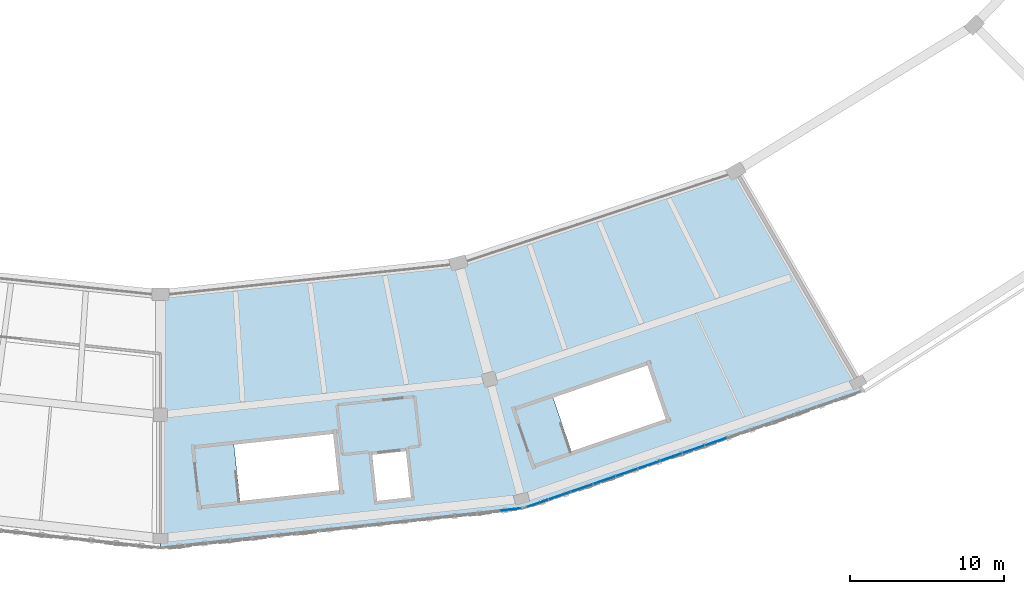
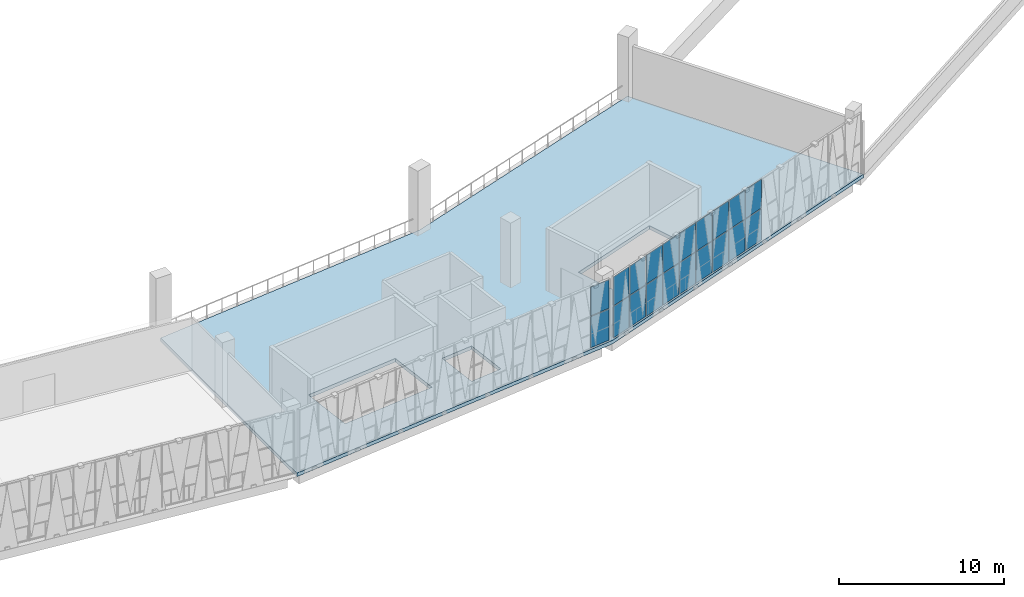
# One storey, part 35 of 64: 20 plates, 1 slab, 2 elements without a shape of their own.
"""IFC4 building model written with IfcOpenShell, lengths in metres."""

from ifc_helpers import new_model, si_unit, direction, frame, origin, origin_2d, place, context, subcontext, project, spatial, polyline, rectangle, outline, extrude, material, layer, layer_set, type_object, element, aggregate, save


model = new_model("IFC4")

# Units and contexts
model_context = context("Model", 3, precision=1e-05, world=origin(), true_north=direction((0.0, 1.0)))
body_context = subcontext(model_context, "Body", "Model", "MODEL_VIEW")
ifc_project = project(units=[si_unit("LENGTHUNIT", "METRE"), si_unit("AREAUNIT", "SQUARE_METRE"), si_unit("VOLUMEUNIT", "CUBIC_METRE"), si_unit("PLANEANGLEUNIT", "RADIAN"), si_unit("MASSUNIT", "GRAM", prefix="KILO")], contexts=[model_context])

# Site, building, storey
site_placement = place(None, origin())
site = spatial("IfcSite", under=ifc_project, at=site_placement, CompositionType="ELEMENT")
building_placement = place(site_placement, origin())
building = spatial("IfcBuilding", under=site, at=building_placement, Name="Zevraka Park Crest Stadium", CompositionType="ELEMENT")
storey_placement = place(building_placement, frame((0.0, 0.0, 24.60009765625)))
storey = spatial("IfcBuildingStorey", under=building, at=storey_placement, Name="L05", CompositionType="ELEMENT", Elevation=24.60009765625)

# Curtain wall, plates
ifc_material_1 = material(Name="Anodised architectural aluminium and laminated safety glass", Category="aluminium")
curtain_wall_type_1 = type_object("IfcCurtainWallType", Name="CW21", PredefinedType="NOTDEFINED", material=ifc_material_1)
curtain_wall_1_placement = place(storey_placement, origin())
curtain_wall_1 = element("IfcCurtainWall", 1, at=curtain_wall_1_placement, inside=storey, type_object=curtain_wall_type_1, Name="Unitised Ring Curtain Wall CW21 L05-18", PredefinedType="NOTDEFINED")
ifc_material_2 = material(Name="Solar-control laminated double glazing", Category="glass")
ifc_layer_1 = layer(ifc_material_2, 0.031982421875)
ifc_layer_set_1 = layer_set([ifc_layer_1], Name="Solar-control laminated double glazing")
plate_type_1 = type_object("IfcPlateType", Name="CP21", PredefinedType="CURTAIN_PANEL", material=ifc_layer_set_1)
plate_1_placement = place(storey_placement, frame((134.66015625, 18.572021484375, 0.06982421875), z_axis=(0.0, 0.0, 1.0), x_axis=(0.994010156572, 0.109287733215, 0.0)))
plate_1 = element("IfcPlate", 2, at=plate_1_placement, type_object=plate_type_1, Name="CW21 panel 16.1", PredefinedType="CURTAIN_PANEL", context=body_context, shape_type="SweptSolid", body=[
    extrude(rectangle(XDim=1.3583984375, YDim=0.031982421875, at=origin_2d()), origin(), (0.0, 0.0, 1.0), 2.294921875),
])
plate_2_placement = place(storey_placement, frame((134.66015625, 18.572021484375, 2.43505859375), z_axis=(0.0, 0.0, 1.0), x_axis=(0.994010156572, 0.109287733215, 0.0)))
plate_2 = element("IfcPlate", 3, at=plate_2_placement, type_object=plate_type_1, Name="CW21 panel 16.2", PredefinedType="CURTAIN_PANEL", context=body_context, shape_type="SweptSolid", body=[
    extrude(rectangle(XDim=1.3583984375, YDim=0.031982421875, at=origin_2d()), origin(), (0.0, 0.0, 1.0), 2.114990234375),
])
aggregate(curtain_wall_1, [plate_1, plate_2])

ifc_material_3 = material(Name="Anodised architectural aluminium and laminated safety glass", Category="aluminium")
curtain_wall_type_2 = type_object("IfcCurtainWallType", Name="CW22", PredefinedType="NOTDEFINED", material=ifc_material_3)
curtain_wall_2_placement = place(storey_placement, origin())
curtain_wall_2 = element("IfcCurtainWall", 4, at=curtain_wall_2_placement, inside=storey, type_object=curtain_wall_type_2, Name="Unitised Ring Curtain Wall CW22 L05-19", PredefinedType="NOTDEFINED")
ifc_material_4 = material(Name="Solar-control laminated double glazing", Category="glass")
ifc_layer_2 = layer(ifc_material_4, 0.031982421875)
ifc_layer_set_2 = layer_set([ifc_layer_2], Name="Solar-control laminated double glazing")
plate_type_2 = type_object("IfcPlateType", Name="CP22", PredefinedType="CURTAIN_PANEL", material=ifc_layer_set_2)
plate_3_placement = place(storey_placement, frame((136.39599609375, 18.9658203125, 0.059814453125), z_axis=(0.0, 0.0, 1.0), x_axis=(0.945048755979, 0.326929424834, 0.0)))
plate_3 = element("IfcPlate", 5, at=plate_3_placement, type_object=plate_type_2, Name="CW22 panel 1.1", PredefinedType="CURTAIN_PANEL", context=body_context, shape_type="SweptSolid", body=[
    extrude(rectangle(XDim=1.439697265625, YDim=0.031982421875, at=origin_2d()), origin(), (0.0, 0.0, 1.0), 2.31005859375),
])
plate_4_placement = place(storey_placement, frame((136.39599609375, 18.9658203125, 2.429931640625), z_axis=(0.0, 0.0, 1.0), x_axis=(0.945048755979, 0.326929424834, 0.0)))
plate_4 = element("IfcPlate", 6, at=plate_4_placement, type_object=plate_type_2, Name="CW22 panel 1.2", PredefinedType="CURTAIN_PANEL", context=body_context, shape_type="SweptSolid", body=[
    extrude(rectangle(XDim=1.439697265625, YDim=0.031982421875, at=origin_2d()), origin(), (0.0, 0.0, 1.0), 2.1298828125),
])
plate_5_placement = place(storey_placement, frame((137.827392578125, 19.461181640625, 0.059814453125), z_axis=(0.0, 0.0, 1.0), x_axis=(0.945048755979, 0.326929424834, 0.0)))
plate_5 = element("IfcPlate", 7, at=plate_5_placement, type_object=plate_type_2, Name="CW22 panel 2.1", PredefinedType="CURTAIN_PANEL", context=body_context, shape_type="SweptSolid", body=[
    extrude(rectangle(XDim=1.469482421875, YDim=0.031982421875, at=origin_2d()), origin(), (0.0, 0.0, 1.0), 2.31005859375),
])
plate_6_placement = place(storey_placement, frame((137.827392578125, 19.461181640625, 2.429931640625), z_axis=(0.0, 0.0, 1.0), x_axis=(0.945048755979, 0.326929424834, 0.0)))
plate_6 = element("IfcPlate", 8, at=plate_6_placement, type_object=plate_type_2, Name="CW22 panel 2.2", PredefinedType="CURTAIN_PANEL", context=body_context, shape_type="SweptSolid", body=[
    extrude(rectangle(XDim=1.469482421875, YDim=0.031982421875, at=origin_2d()), origin(), (0.0, 0.0, 1.0), 2.1298828125),
])
plate_7_placement = place(storey_placement, frame((139.27294921875, 19.961181640625, 0.059814453125), z_axis=(0.0, 0.0, 1.0), x_axis=(0.945048755979, 0.326929424834, 0.0)))
plate_7 = element("IfcPlate", 9, at=plate_7_placement, type_object=plate_type_2, Name="CW22 panel 3.1", PredefinedType="CURTAIN_PANEL", context=body_context, shape_type="SweptSolid", body=[
    extrude(rectangle(XDim=1.469482421875, YDim=0.031982421875, at=origin_2d()), origin(), (0.0, 0.0, 1.0), 2.31005859375),
])
plate_8_placement = place(storey_placement, frame((139.27294921875, 19.961181640625, 2.429931640625), z_axis=(0.0, 0.0, 1.0), x_axis=(0.945048755979, 0.326929424834, 0.0)))
plate_8 = element("IfcPlate", 10, at=plate_8_placement, type_object=plate_type_2, Name="CW22 panel 3.2", PredefinedType="CURTAIN_PANEL", context=body_context, shape_type="SweptSolid", body=[
    extrude(rectangle(XDim=1.469482421875, YDim=0.031982421875, at=origin_2d()), origin(), (0.0, 0.0, 1.0), 2.1298828125),
])
plate_9_placement = place(storey_placement, frame((140.71826171875, 20.461181640625, 0.059814453125), z_axis=(0.0, 0.0, 1.0), x_axis=(0.945048755979, 0.326929424834, 0.0)))
plate_9 = element("IfcPlate", 11, at=plate_9_placement, type_object=plate_type_2, Name="CW22 panel 4.1", PredefinedType="CURTAIN_PANEL", context=body_context, shape_type="SweptSolid", body=[
    extrude(rectangle(XDim=1.469482421875, YDim=0.031982421875, at=origin_2d()), origin(), (0.0, 0.0, 1.0), 2.31005859375),
])
plate_10_placement = place(storey_placement, frame((140.71826171875, 20.461181640625, 2.429931640625), z_axis=(0.0, 0.0, 1.0), x_axis=(0.945048755979, 0.326929424834, 0.0)))
plate_10 = element("IfcPlate", 12, at=plate_10_placement, type_object=plate_type_2, Name="CW22 panel 4.2", PredefinedType="CURTAIN_PANEL", context=body_context, shape_type="SweptSolid", body=[
    extrude(rectangle(XDim=1.469482421875, YDim=0.031982421875, at=origin_2d()), origin(), (0.0, 0.0, 1.0), 2.1298828125),
])
plate_11_placement = place(storey_placement, frame((142.163818359375, 20.961181640625, 0.059814453125), z_axis=(0.0, 0.0, 1.0), x_axis=(0.945048755979, 0.326929424834, 0.0)))
plate_11 = element("IfcPlate", 13, at=plate_11_placement, type_object=plate_type_2, Name="CW22 panel 5.1", PredefinedType="CURTAIN_PANEL", context=body_context, shape_type="SweptSolid", body=[
    extrude(rectangle(XDim=1.469482421875, YDim=0.031982421875, at=origin_2d()), origin(), (0.0, 0.0, 1.0), 2.31005859375),
])
plate_12_placement = place(storey_placement, frame((142.163818359375, 20.961181640625, 2.429931640625), z_axis=(0.0, 0.0, 1.0), x_axis=(0.945048755979, 0.326929424834, 0.0)))
plate_12 = element("IfcPlate", 14, at=plate_12_placement, type_object=plate_type_2, Name="CW22 panel 5.2", PredefinedType="CURTAIN_PANEL", context=body_context, shape_type="SweptSolid", body=[
    extrude(rectangle(XDim=1.469482421875, YDim=0.031982421875, at=origin_2d()), origin(), (0.0, 0.0, 1.0), 2.1298828125),
])
plate_13_placement = place(storey_placement, frame((143.609375, 21.46142578125, 0.059814453125), z_axis=(0.0, 0.0, 1.0), x_axis=(0.945048755979, 0.326929424834, 0.0)))
plate_13 = element("IfcPlate", 15, at=plate_13_placement, type_object=plate_type_2, Name="CW22 panel 6.1", PredefinedType="CURTAIN_PANEL", context=body_context, shape_type="SweptSolid", body=[
    extrude(rectangle(XDim=1.469482421875, YDim=0.031982421875, at=origin_2d()), origin(), (0.0, 0.0, 1.0), 2.31005859375),
])
plate_14_placement = place(storey_placement, frame((143.609375, 21.46142578125, 2.429931640625), z_axis=(0.0, 0.0, 1.0), x_axis=(0.945048755979, 0.326929424834, 0.0)))
plate_14 = element("IfcPlate", 16, at=plate_14_placement, type_object=plate_type_2, Name="CW22 panel 6.2", PredefinedType="CURTAIN_PANEL", context=body_context, shape_type="SweptSolid", body=[
    extrude(rectangle(XDim=1.469482421875, YDim=0.031982421875, at=origin_2d()), origin(), (0.0, 0.0, 1.0), 2.1298828125),
])
plate_15_placement = place(storey_placement, frame((145.054931640625, 21.96142578125, 0.059814453125), z_axis=(0.0, 0.0, 1.0), x_axis=(0.945048755979, 0.326929424834, 0.0)))
plate_15 = element("IfcPlate", 17, at=plate_15_placement, type_object=plate_type_2, Name="CW22 panel 7.1", PredefinedType="CURTAIN_PANEL", context=body_context, shape_type="SweptSolid", body=[
    extrude(rectangle(XDim=1.469482421875, YDim=0.031982421875, at=origin_2d()), origin(), (0.0, 0.0, 1.0), 2.31005859375),
])
plate_16_placement = place(storey_placement, frame((145.054931640625, 21.96142578125, 2.429931640625), z_axis=(0.0, 0.0, 1.0), x_axis=(0.945048755979, 0.326929424834, 0.0)))
plate_16 = element("IfcPlate", 18, at=plate_16_placement, type_object=plate_type_2, Name="CW22 panel 7.2", PredefinedType="CURTAIN_PANEL", context=body_context, shape_type="SweptSolid", body=[
    extrude(rectangle(XDim=1.469482421875, YDim=0.031982421875, at=origin_2d()), origin(), (0.0, 0.0, 1.0), 2.1298828125),
])
plate_17_placement = place(storey_placement, frame((146.50048828125, 22.46142578125, 0.059814453125), z_axis=(0.0, 0.0, 1.0), x_axis=(0.945048755979, 0.326929424834, 0.0)))
plate_17 = element("IfcPlate", 19, at=plate_17_placement, type_object=plate_type_2, Name="CW22 panel 8.1", PredefinedType="CURTAIN_PANEL", context=body_context, shape_type="SweptSolid", body=[
    extrude(rectangle(XDim=1.469482421875, YDim=0.031982421875, at=origin_2d()), origin(), (0.0, 0.0, 1.0), 2.31005859375),
])
plate_18_placement = place(storey_placement, frame((146.50048828125, 22.46142578125, 2.429931640625), z_axis=(0.0, 0.0, 1.0), x_axis=(0.945048755979, 0.326929424834, 0.0)))
plate_18 = element("IfcPlate", 20, at=plate_18_placement, type_object=plate_type_2, Name="CW22 panel 8.2", PredefinedType="CURTAIN_PANEL", context=body_context, shape_type="SweptSolid", body=[
    extrude(rectangle(XDim=1.469482421875, YDim=0.031982421875, at=origin_2d()), origin(), (0.0, 0.0, 1.0), 2.1298828125),
])
plate_19_placement = place(storey_placement, frame((147.946044921875, 22.961669921875, 0.059814453125), z_axis=(0.0, 0.0, 1.0), x_axis=(0.945048755979, 0.326929424834, 0.0)))
plate_19 = element("IfcPlate", 21, at=plate_19_placement, type_object=plate_type_2, Name="CW22 panel 9.1", PredefinedType="CURTAIN_PANEL", context=body_context, shape_type="SweptSolid", body=[
    extrude(rectangle(XDim=1.469482421875, YDim=0.031982421875, at=origin_2d()), origin(), (0.0, 0.0, 1.0), 2.31005859375),
])
plate_20_placement = place(storey_placement, frame((147.946044921875, 22.961669921875, 2.429931640625), z_axis=(0.0, 0.0, 1.0), x_axis=(0.945048755979, 0.326929424834, 0.0)))
plate_20 = element("IfcPlate", 22, at=plate_20_placement, type_object=plate_type_2, Name="CW22 panel 9.2", PredefinedType="CURTAIN_PANEL", context=body_context, shape_type="SweptSolid", body=[
    extrude(rectangle(XDim=1.469482421875, YDim=0.031982421875, at=origin_2d()), origin(), (0.0, 0.0, 1.0), 2.1298828125),
])
aggregate(curtain_wall_2, [plate_3, plate_4, plate_5, plate_6, plate_7, plate_8, plate_9, plate_10, plate_11, plate_12, plate_13, plate_14, plate_15, plate_16, plate_17, plate_18, plate_19, plate_20])

# Slab
ifc_material_5 = material(Name="Concrete C35/45", Category="concrete")
ifc_layer_3 = layer(ifc_material_5, 0.260009765625)
ifc_layer_set_3 = layer_set([ifc_layer_3], Name="Concrete C35/45")
slab_type = type_object("IfcSlabType", Name="FS03", PredefinedType="FLOOR", material=ifc_layer_set_3)
slab_placement = place(storey_placement, frame((0.0, 0.0, -0.260009765625)))
element("IfcSlab", 23, at=slab_placement, inside=storey, type_object=slab_type, Name="Bowl Concourse Ring Slab L05 Q4-SE-1", PredefinedType="FLOOR", context=body_context, shape_type="SweptSolid", body=[
    extrude(outline(polyline([(131.281982421875, 34.527099609375), (149.25, 40.470947265625), (157.5, 26.181884765625), (135.552978515625, 18.590087890625), (112.0, 16.0), (112.0, 32.5), (131.281982421875, 34.527099609375)]), holes=[polyline([(126.02294921875, 19.1220703125), (128.2099609375, 19.361083984375), (127.885009765625, 22.343994140625), (125.697998046875, 22.10498046875), (126.02294921875, 19.1220703125)]), polyline([(116.7451171875, 22.80810546875), (117.152099609375, 19.070068359375), (123.634033203125, 19.77490234375), (123.22705078125, 23.512939453125), (116.7451171875, 22.80810546875)]), polyline([(137.39306640625, 25.847900390625), (138.612060546875, 22.291015625), (144.780029296875, 24.403076171875), (143.56201171875, 27.9599609375), (137.39306640625, 25.847900390625)])]), origin(), (0.0, 0.0, 1.0), 0.260009765625),
])

save(model, "model.ifc")
